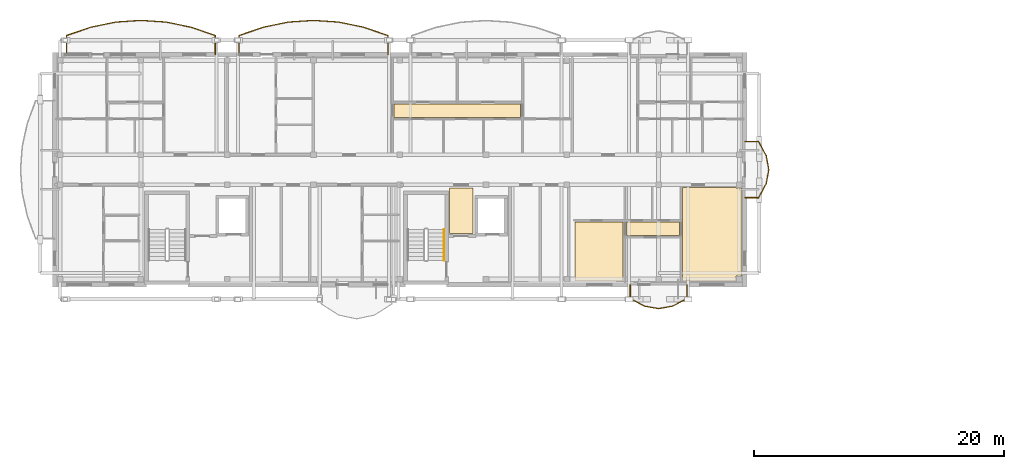
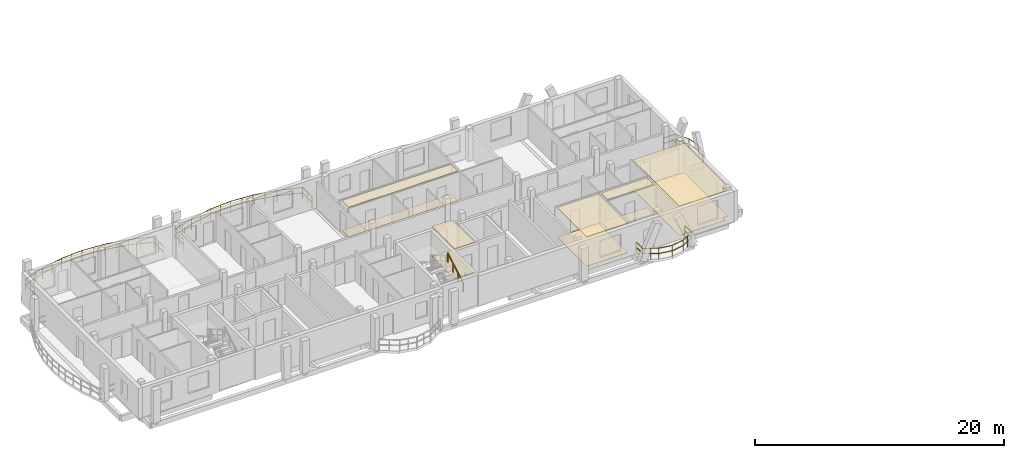
# One storey, part 39 of 44: 10 coverings, 5 railings.
"""IFC4 building model written with IfcOpenShell, lengths in metres."""

from ifc_helpers import new_model, si_unit, direction, frame, origin, origin_2d, place, context, subcontext, project, spatial, polyline, rectangle, outline, extrude, material, layer, layer_set, type_object, element, save


model = new_model("IFC4")

# Units and contexts
model_context = context("Model", 3, precision=1e-05, world=origin(), true_north=direction((0.0, 1.0)))
body_context = subcontext(model_context, "Body", "Model", "MODEL_VIEW")
ifc_project = project(units=[si_unit("LENGTHUNIT", "METRE"), si_unit("AREAUNIT", "SQUARE_METRE"), si_unit("VOLUMEUNIT", "CUBIC_METRE"), si_unit("PLANEANGLEUNIT", "RADIAN"), si_unit("MASSUNIT", "GRAM", prefix="KILO")], contexts=[model_context])

# Site, building, storey
site_placement = place(None, origin())
site = spatial("IfcSite", under=ifc_project, at=site_placement, CompositionType="ELEMENT")
building_placement = place(site_placement, origin())
building = spatial("IfcBuilding", under=site, at=building_placement, Name="Zavelmont Quarter", CompositionType="ELEMENT")
storey_placement = place(building_placement, frame((0.0, 0.0, 20.800048828125)))
storey = spatial("IfcBuildingStorey", under=building, at=storey_placement, Name="L06", CompositionType="ELEMENT", Elevation=20.800048828125)

# Coverings
ifc_material_1 = material(Name="Perforated acoustic gypsum board")
ifc_layer_1 = layer(ifc_material_1, 0.02490234375)
ifc_layer_set_1 = layer_set([ifc_layer_1], Name="Perforated acoustic gypsum board")
covering_type_1 = type_object("IfcCoveringType", Name="CV-CL01", PredefinedType="CEILING", material=ifc_layer_set_1)
covering_1_placement = place(storey_placement, frame((0.0, 0.0, 2.925048828125)))
element("IfcCovering", 1, at=covering_1_placement, inside=storey, type_object=covering_type_1, Name="L06 Lobby Vestibule acoustic ceiling", PredefinedType="CEILING", context=body_context, shape_type="SweptSolid", body=[
    extrude(outline(polyline([(31.580078125, 105.320068359375), (33.469970703125, 105.320068359375), (33.469970703125, 101.679931640625), (31.580078125, 101.679931640625), (31.580078125, 105.320068359375)])), origin(), (0.0, 0.0, 1.0), 0.02490234375),
])
covering_2_placement = place(storey_placement, frame((0.0, 0.0, 2.885009765625)))
element("IfcCovering", 2, at=covering_2_placement, inside=storey, type_object=covering_type_1, Name="L06 Double Bedroom acoustic ceiling", PredefinedType="CEILING", context=body_context, shape_type="SweptSolid", body=[
    extrude(outline(polyline([(41.6298828125, 102.6201171875), (45.469970703125, 102.6201171875), (45.469970703125, 97.8798828125), (41.6298828125, 97.8798828125), (41.6298828125, 102.6201171875)])), origin(), (0.0, 0.0, 1.0), 0.02490234375),
])
covering_3_placement = place(storey_placement, frame((0.0, 0.0, 2.885009765625)))
element("IfcCovering", 3, at=covering_3_placement, inside=storey, type_object=covering_type_1, Name="L06 Living Dining acoustic ceiling", PredefinedType="CEILING", context=body_context, shape_type="SweptSolid", body=[
    extrude(outline(polyline([(50.22998046875, 105.3701171875), (54.4951171875, 105.3701171875), (54.4951171875, 105.3349609375), (54.969970703125, 105.3349609375), (54.969970703125, 98.304931640625), (54.4951171875, 98.304931640625), (54.4951171875, 97.8798828125), (50.22998046875, 97.8798828125), (50.22998046875, 105.3701171875)])), origin(), (0.0, 0.0, 1.0), 0.02490234375),
])
ifc_material_2 = material(Name="Slatted European ash acoustic baffle ceiling")
ifc_layer_2 = layer(ifc_material_2, 0.0400390625)
ifc_layer_set_2 = layer_set([ifc_layer_2], Name="Slatted European ash acoustic baffle ceiling")
covering_type_2 = type_object("IfcCoveringType", Name="CV-CL02", PredefinedType="CEILING", material=ifc_layer_set_2)
covering_4_placement = place(storey_placement, frame((0.0, 0.0, 2.909912109375)))
element("IfcCovering", 4, at=covering_4_placement, inside=storey, type_object=covering_type_2, Name="L06 Apartment Hall acoustic ceiling", PredefinedType="CEILING", context=body_context, shape_type="SweptSolid", body=[
    extrude(outline(polyline([(27.1298828125, 112.070068359375), (37.27001953125, 112.070068359375), (37.27001953125, 110.97998046875), (27.1298828125, 110.97998046875), (27.1298828125, 112.070068359375)])), origin(), (0.0, 0.0, 1.0), 0.0400390625),
])
covering_5_placement = place(storey_placement, frame((0.0, 0.0, 2.869873046875)))
element("IfcCovering", 5, at=covering_5_placement, inside=storey, type_object=covering_type_2, Name="L06 Apartment Hall acoustic ceiling", PredefinedType="CEILING", context=body_context, shape_type="SweptSolid", body=[
    extrude(outline(polyline([(45.72998046875, 102.6201171875), (49.969970703125, 102.6201171875), (49.969970703125, 101.530029296875), (45.72998046875, 101.530029296875), (45.72998046875, 102.6201171875)])), origin(), (0.0, 0.0, 1.0), 0.0400390625),
])
ifc_material_3 = material(Name="Engineered European oak parquet")
ifc_layer_3 = layer(ifc_material_3, 0.02197265625)
ifc_layer_set_3 = layer_set([ifc_layer_3], Name="Engineered European oak parquet")
covering_type_3 = type_object("IfcCoveringType", Name="CV-FL01", PredefinedType="FLOORING", material=ifc_layer_set_3)
covering_6_placement = place(storey_placement, origin())
element("IfcCovering", 6, at=covering_6_placement, inside=storey, type_object=covering_type_3, Name="L06 Lobby Vestibule floor finish", PredefinedType="FLOORING", context=body_context, shape_type="SweptSolid", body=[
    extrude(outline(polyline([(31.580078125, 105.320068359375), (33.469970703125, 105.320068359375), (33.469970703125, 101.679931640625), (31.580078125, 101.679931640625), (31.580078125, 105.320068359375)])), origin(), (0.0, 0.0, 1.0), 0.02197265625),
])
covering_7_placement = place(storey_placement, origin())
element("IfcCovering", 7, at=covering_7_placement, inside=storey, type_object=covering_type_3, Name="L06 Double Bedroom floor finish", PredefinedType="FLOORING", context=body_context, shape_type="SweptSolid", body=[
    extrude(outline(polyline([(41.6298828125, 102.6201171875), (45.469970703125, 102.6201171875), (45.469970703125, 97.8798828125), (41.6298828125, 97.8798828125), (41.6298828125, 102.6201171875)])), origin(), (0.0, 0.0, 1.0), 0.02197265625),
])
covering_8_placement = place(storey_placement, origin())
element("IfcCovering", 8, at=covering_8_placement, inside=storey, type_object=covering_type_3, Name="L06 Living Dining floor finish", PredefinedType="FLOORING", context=body_context, shape_type="SweptSolid", body=[
    extrude(outline(polyline([(50.22998046875, 105.3701171875), (54.4951171875, 105.3701171875), (54.4951171875, 105.3349609375), (54.969970703125, 105.3349609375), (54.969970703125, 98.304931640625), (54.4951171875, 98.304931640625), (54.4951171875, 97.8798828125), (50.22998046875, 97.8798828125), (50.22998046875, 105.3701171875)])), origin(), (0.0, 0.0, 1.0), 0.02197265625),
])
ifc_material_4 = material(Name="Honed Belgian bluestone tile", Category="masonry")
ifc_layer_4 = layer(ifc_material_4, 0.030029296875)
ifc_layer_set_4 = layer_set([ifc_layer_4], Name="Honed Belgian bluestone tile")
covering_type_4 = type_object("IfcCoveringType", Name="CV-FL02", PredefinedType="FLOORING", material=ifc_layer_set_4)
covering_9_placement = place(storey_placement, origin())
element("IfcCovering", 9, at=covering_9_placement, inside=storey, type_object=covering_type_4, Name="L06 Apartment Hall floor finish", PredefinedType="FLOORING", context=body_context, shape_type="SweptSolid", body=[
    extrude(outline(polyline([(27.1298828125, 112.070068359375), (37.27001953125, 112.070068359375), (37.27001953125, 110.97998046875), (27.1298828125, 110.97998046875), (27.1298828125, 112.070068359375)])), origin(), (0.0, 0.0, 1.0), 0.030029296875),
])
covering_10_placement = place(storey_placement, origin())
element("IfcCovering", 10, at=covering_10_placement, inside=storey, type_object=covering_type_4, Name="L06 Apartment Hall floor finish", PredefinedType="FLOORING", context=body_context, shape_type="SweptSolid", body=[
    extrude(outline(polyline([(45.72998046875, 102.6201171875), (49.969970703125, 102.6201171875), (49.969970703125, 101.530029296875), (45.72998046875, 101.530029296875), (45.72998046875, 102.6201171875)])), origin(), (0.0, 0.0, 1.0), 0.030029296875),
])

# Railings
ifc_material_5 = material(Name="Powder-coated steel and tempered double safety glass", Category="steel")
railing_type_1 = type_object("IfcRailingType", Name="RL-BAL1", PredefinedType="BALUSTRADE", material=ifc_material_5)
railing_1_placement = place(storey_placement, frame((12.845703125, 116.02001953125, 0.0)))
element("IfcRailing", 11, at=railing_1_placement, inside=storey, type_object=railing_type_1, Name="L06 Block B curved balcony guard RL-BAL1", PredefinedType="BALUSTRADE", context=body_context, shape_type="SweptSolid", body=[
    extrude(rectangle(XDim=0.048095703125, YDim=0.048095703125, at=origin_2d()), frame((0.0, 0.0, 1.076171875), z_axis=(0.0, 1.0, 0.0), x_axis=(-1.0, 0.0, 0.0)), (0.0, 0.0, 1.0), 1.518798828125),
    extrude(rectangle(XDim=0.048095703125, YDim=0.048095703125, at=origin_2d()), frame((0.0, 0.0, 0.550048828125), z_axis=(0.0, 1.0, 0.0), x_axis=(-1.0, 0.0, 0.0)), (0.0, 0.0, 1.0), 1.518798828125),
    extrude(rectangle(XDim=0.048095703125, YDim=0.048095703125, at=origin_2d()), frame((0.0, 1.518798828125, 1.076171875), z_axis=(-0.94706106975, 0.321053469322, 0.0), x_axis=(-0.321053469322, -0.94706106975, 0.0)), (0.0, 0.0, 1.0), 2.0927734375),
    extrude(rectangle(XDim=0.048095703125, YDim=0.048095703125, at=origin_2d()), frame((0.0, 1.518798828125, 0.550048828125), z_axis=(-0.94706106975, 0.321053469322, 0.0), x_axis=(-0.321053469322, -0.94706106975, 0.0)), (0.0, 0.0, 1.0), 2.0927734375),
    extrude(rectangle(XDim=0.048095703125, YDim=0.048095703125, at=origin_2d()), frame((-1.98193359375, 2.190673828125, 1.076171875), z_axis=(-0.979939459364, 0.199295398794, 0.0), x_axis=(-0.199295398794, -0.979939459364, 0.0)), (0.0, 0.0, 1.0), 2.0224609375),
    extrude(rectangle(XDim=0.048095703125, YDim=0.048095703125, at=origin_2d()), frame((-1.98193359375, 2.190673828125, 0.550048828125), z_axis=(-0.979939459364, 0.199295398794, 0.0), x_axis=(-0.199295398794, -0.979939459364, 0.0)), (0.0, 0.0, 1.0), 2.0224609375),
    extrude(rectangle(XDim=0.048095703125, YDim=0.048095703125, at=origin_2d()), frame((-3.9638671875, 2.59375, 1.076171875), z_axis=(-0.997712793816, 0.067595717738, 0.0), x_axis=(-0.067595717738, -0.997712793816, 0.0)), (0.0, 0.0, 1.0), 1.986572265625),
    extrude(rectangle(XDim=0.048095703125, YDim=0.048095703125, at=origin_2d()), frame((-3.9638671875, 2.59375, 0.550048828125), z_axis=(-0.997712793816, 0.067595717738, 0.0), x_axis=(-0.067595717738, -0.997712793816, 0.0)), (0.0, 0.0, 1.0), 1.986572265625),
    extrude(rectangle(XDim=0.048095703125, YDim=0.048095703125, at=origin_2d()), frame((-5.94580078125, 2.72802734375, 1.076171875), z_axis=(-0.997712232154, -0.067604007353, 0.0), x_axis=(0.067604007353, -0.997712232154, 0.0)), (0.0, 0.0, 1.0), 1.986328125),
    extrude(rectangle(XDim=0.048095703125, YDim=0.048095703125, at=origin_2d()), frame((-5.94580078125, 2.72802734375, 0.550048828125), z_axis=(-0.997712232154, -0.067604007353, 0.0), x_axis=(0.067604007353, -0.997712232154, 0.0)), (0.0, 0.0, 1.0), 1.986328125),
    extrude(rectangle(XDim=0.048095703125, YDim=0.048095703125, at=origin_2d()), frame((-7.927490234375, 2.59375, 1.076171875), z_axis=(-0.979939459364, -0.199295398794, 0.0), x_axis=(0.199295398794, -0.979939459364, 0.0)), (0.0, 0.0, 1.0), 2.0224609375),
    extrude(rectangle(XDim=0.048095703125, YDim=0.048095703125, at=origin_2d()), frame((-7.927490234375, 2.59375, 0.550048828125), z_axis=(-0.979939459364, -0.199295398794, 0.0), x_axis=(0.199295398794, -0.979939459364, 0.0)), (0.0, 0.0, 1.0), 2.0224609375),
    extrude(rectangle(XDim=0.048095703125, YDim=0.048095703125, at=origin_2d()), frame((-9.909423828125, 2.190673828125, 1.076171875), z_axis=(-0.94706106975, -0.321053469322, 0.0), x_axis=(0.321053469322, -0.94706106975, 0.0)), (0.0, 0.0, 1.0), 2.0927734375),
    extrude(rectangle(XDim=0.048095703125, YDim=0.048095703125, at=origin_2d()), frame((-9.909423828125, 2.190673828125, 0.550048828125), z_axis=(-0.94706106975, -0.321053469322, 0.0), x_axis=(0.321053469322, -0.94706106975, 0.0)), (0.0, 0.0, 1.0), 2.0927734375),
    extrude(rectangle(XDim=0.048095703125, YDim=0.048095703125, at=origin_2d()), frame((-11.891357421875, 1.518798828125, 1.076171875), z_axis=(0.0, -1.0, 0.0), x_axis=(1.0, 0.0, 0.0)), (0.0, 0.0, 1.0), 1.518798828125),
    extrude(rectangle(XDim=0.048095703125, YDim=0.048095703125, at=origin_2d()), frame((-11.891357421875, 1.518798828125, 0.550048828125), z_axis=(0.0, -1.0, 0.0), x_axis=(1.0, 0.0, 0.0)), (0.0, 0.0, 1.0), 1.518798828125),
    extrude(rectangle(XDim=0.0419921875, YDim=0.0419921875, at=origin_2d()), origin(), (0.0, 0.0, 1.0), 1.052001953125),
    extrude(rectangle(XDim=0.0419921875, YDim=0.0419921875, at=origin_2d()), frame((0.0, 0.75927734375, 0.0)), (0.0, 0.0, 1.0), 1.052001953125),
    extrude(rectangle(XDim=0.0419921875, YDim=0.0419921875, at=origin_2d()), frame((0.0, 1.518798828125, 0.0)), (0.0, 0.0, 1.0), 1.052001953125),
    extrude(rectangle(XDim=0.0419921875, YDim=0.0419921875, at=origin_2d()), frame((-0.990966796875, 1.854736328125, 0.0)), (0.0, 0.0, 1.0), 1.052001953125),
    extrude(rectangle(XDim=0.0419921875, YDim=0.0419921875, at=origin_2d()), frame((-1.98193359375, 2.190673828125, 0.0)), (0.0, 0.0, 1.0), 1.052001953125),
    extrude(rectangle(XDim=0.0419921875, YDim=0.0419921875, at=origin_2d()), frame((-2.972900390625, 2.39208984375, 0.0)), (0.0, 0.0, 1.0), 1.052001953125),
    extrude(rectangle(XDim=0.0419921875, YDim=0.0419921875, at=origin_2d()), frame((-3.9638671875, 2.59375, 0.0)), (0.0, 0.0, 1.0), 1.052001953125),
    extrude(rectangle(XDim=0.0419921875, YDim=0.0419921875, at=origin_2d()), frame((-4.954833984375, 2.660888671875, 0.0)), (0.0, 0.0, 1.0), 1.052001953125),
    extrude(rectangle(XDim=0.0419921875, YDim=0.0419921875, at=origin_2d()), frame((-5.94580078125, 2.72802734375, 0.0)), (0.0, 0.0, 1.0), 1.052001953125),
    extrude(rectangle(XDim=0.0419921875, YDim=0.0419921875, at=origin_2d()), frame((-6.9365234375, 2.660888671875, 0.0)), (0.0, 0.0, 1.0), 1.052001953125),
    extrude(rectangle(XDim=0.0419921875, YDim=0.0419921875, at=origin_2d()), frame((-7.927490234375, 2.59375, 0.0)), (0.0, 0.0, 1.0), 1.052001953125),
    extrude(rectangle(XDim=0.0419921875, YDim=0.0419921875, at=origin_2d()), frame((-8.91845703125, 2.39208984375, 0.0)), (0.0, 0.0, 1.0), 1.052001953125),
    extrude(rectangle(XDim=0.0419921875, YDim=0.0419921875, at=origin_2d()), frame((-9.909423828125, 2.190673828125, 0.0)), (0.0, 0.0, 1.0), 1.052001953125),
    extrude(rectangle(XDim=0.0419921875, YDim=0.0419921875, at=origin_2d()), frame((-10.900390625, 1.854736328125, 0.0)), (0.0, 0.0, 1.0), 1.052001953125),
    extrude(rectangle(XDim=0.0419921875, YDim=0.0419921875, at=origin_2d()), frame((-11.891357421875, 1.518798828125, 0.0)), (0.0, 0.0, 1.0), 1.052001953125),
    extrude(rectangle(XDim=0.0419921875, YDim=0.0419921875, at=origin_2d()), frame((-11.891357421875, 0.75927734375, 0.0)), (0.0, 0.0, 1.0), 1.052001953125),
    extrude(rectangle(XDim=0.0419921875, YDim=0.0419921875, at=origin_2d()), frame((-11.891357421875, 0.0, 0.0)), (0.0, 0.0, 1.0), 1.052001953125),
])
railing_2_placement = place(storey_placement, frame((26.6455078125, 116.02001953125, 0.0)))
element("IfcRailing", 12, at=railing_2_placement, inside=storey, type_object=railing_type_1, Name="L06 Block B curved balcony guard RL-BAL1", PredefinedType="BALUSTRADE", context=body_context, shape_type="SweptSolid", body=[
    extrude(rectangle(XDim=0.048095703125, YDim=0.048095703125, at=origin_2d()), frame((0.0, 0.0, 1.076171875), z_axis=(0.0, 1.0, 0.0), x_axis=(-1.0, 0.0, 0.0)), (0.0, 0.0, 1.0), 1.518798828125),
    extrude(rectangle(XDim=0.048095703125, YDim=0.048095703125, at=origin_2d()), frame((0.0, 0.0, 0.550048828125), z_axis=(0.0, 1.0, 0.0), x_axis=(-1.0, 0.0, 0.0)), (0.0, 0.0, 1.0), 1.518798828125),
    extrude(rectangle(XDim=0.048095703125, YDim=0.048095703125, at=origin_2d()), frame((0.0, 1.518798828125, 1.076171875), z_axis=(-0.947049042796, 0.321088944903, 0.0), x_axis=(-0.321088944903, -0.947049042796, 0.0)), (0.0, 0.0, 1.0), 2.092529296875),
    extrude(rectangle(XDim=0.048095703125, YDim=0.048095703125, at=origin_2d()), frame((0.0, 1.518798828125, 0.550048828125), z_axis=(-0.947049042796, 0.321088944903, 0.0), x_axis=(-0.321088944903, -0.947049042796, 0.0)), (0.0, 0.0, 1.0), 2.092529296875),
    extrude(rectangle(XDim=0.048095703125, YDim=0.048095703125, at=origin_2d()), frame((-1.981689453125, 2.190673828125, 1.076171875), z_axis=(-0.979939459364, 0.199295398794, 0.0), x_axis=(-0.199295398794, -0.979939459364, 0.0)), (0.0, 0.0, 1.0), 2.0224609375),
    extrude(rectangle(XDim=0.048095703125, YDim=0.048095703125, at=origin_2d()), frame((-1.981689453125, 2.190673828125, 0.550048828125), z_axis=(-0.979939459364, 0.199295398794, 0.0), x_axis=(-0.199295398794, -0.979939459364, 0.0)), (0.0, 0.0, 1.0), 2.0224609375),
    extrude(rectangle(XDim=0.048095703125, YDim=0.048095703125, at=origin_2d()), frame((-3.963623046875, 2.59375, 1.076171875), z_axis=(-0.997712793816, 0.067595717738, 0.0), x_axis=(-0.067595717738, -0.997712793816, 0.0)), (0.0, 0.0, 1.0), 1.986572265625),
    extrude(rectangle(XDim=0.048095703125, YDim=0.048095703125, at=origin_2d()), frame((-3.963623046875, 2.59375, 0.550048828125), z_axis=(-0.997712793816, 0.067595717738, 0.0), x_axis=(-0.067595717738, -0.997712793816, 0.0)), (0.0, 0.0, 1.0), 1.986572265625),
    extrude(rectangle(XDim=0.048095703125, YDim=0.048095703125, at=origin_2d()), frame((-5.945556640625, 2.72802734375, 1.076171875), z_axis=(-0.997712793816, -0.067595717738, 0.0), x_axis=(0.067595717738, -0.997712793816, 0.0)), (0.0, 0.0, 1.0), 1.986572265625),
    extrude(rectangle(XDim=0.048095703125, YDim=0.048095703125, at=origin_2d()), frame((-5.945556640625, 2.72802734375, 0.550048828125), z_axis=(-0.997712793816, -0.067595717738, 0.0), x_axis=(0.067595717738, -0.997712793816, 0.0)), (0.0, 0.0, 1.0), 1.986572265625),
    extrude(rectangle(XDim=0.048095703125, YDim=0.048095703125, at=origin_2d()), frame((-7.927490234375, 2.59375, 1.076171875), z_axis=(-0.979934663998, -0.199318976255, 0.0), x_axis=(0.199318976255, -0.979934663998, 0.0)), (0.0, 0.0, 1.0), 2.022216796875),
    extrude(rectangle(XDim=0.048095703125, YDim=0.048095703125, at=origin_2d()), frame((-7.927490234375, 2.59375, 0.550048828125), z_axis=(-0.979934663998, -0.199318976255, 0.0), x_axis=(0.199318976255, -0.979934663998, 0.0)), (0.0, 0.0, 1.0), 2.022216796875),
    extrude(rectangle(XDim=0.048095703125, YDim=0.048095703125, at=origin_2d()), frame((-9.9091796875, 2.190673828125, 1.076171875), z_axis=(-0.94706106975, -0.321053469322, 0.0), x_axis=(0.321053469322, -0.94706106975, 0.0)), (0.0, 0.0, 1.0), 2.0927734375),
    extrude(rectangle(XDim=0.048095703125, YDim=0.048095703125, at=origin_2d()), frame((-9.9091796875, 2.190673828125, 0.550048828125), z_axis=(-0.94706106975, -0.321053469322, 0.0), x_axis=(0.321053469322, -0.94706106975, 0.0)), (0.0, 0.0, 1.0), 2.0927734375),
    extrude(rectangle(XDim=0.048095703125, YDim=0.048095703125, at=origin_2d()), frame((-11.89111328125, 1.518798828125, 1.076171875), z_axis=(0.0, -1.0, 0.0), x_axis=(1.0, 0.0, 0.0)), (0.0, 0.0, 1.0), 1.518798828125),
    extrude(rectangle(XDim=0.048095703125, YDim=0.048095703125, at=origin_2d()), frame((-11.89111328125, 1.518798828125, 0.550048828125), z_axis=(0.0, -1.0, 0.0), x_axis=(1.0, 0.0, 0.0)), (0.0, 0.0, 1.0), 1.518798828125),
    extrude(rectangle(XDim=0.0419921875, YDim=0.0419921875, at=origin_2d()), origin(), (0.0, 0.0, 1.0), 1.052001953125),
    extrude(rectangle(XDim=0.0419921875, YDim=0.0419921875, at=origin_2d()), frame((0.0, 0.75927734375, 0.0)), (0.0, 0.0, 1.0), 1.052001953125),
    extrude(rectangle(XDim=0.0419921875, YDim=0.0419921875, at=origin_2d()), frame((0.0, 1.518798828125, 0.0)), (0.0, 0.0, 1.0), 1.052001953125),
    extrude(rectangle(XDim=0.0419921875, YDim=0.0419921875, at=origin_2d()), frame((-0.99072265625, 1.854736328125, 0.0)), (0.0, 0.0, 1.0), 1.052001953125),
    extrude(rectangle(XDim=0.0419921875, YDim=0.0419921875, at=origin_2d()), frame((-1.981689453125, 2.190673828125, 0.0)), (0.0, 0.0, 1.0), 1.052001953125),
    extrude(rectangle(XDim=0.0419921875, YDim=0.0419921875, at=origin_2d()), frame((-2.97265625, 2.39208984375, 0.0)), (0.0, 0.0, 1.0), 1.052001953125),
    extrude(rectangle(XDim=0.0419921875, YDim=0.0419921875, at=origin_2d()), frame((-3.963623046875, 2.59375, 0.0)), (0.0, 0.0, 1.0), 1.052001953125),
    extrude(rectangle(XDim=0.0419921875, YDim=0.0419921875, at=origin_2d()), frame((-4.95458984375, 2.660888671875, 0.0)), (0.0, 0.0, 1.0), 1.052001953125),
    extrude(rectangle(XDim=0.0419921875, YDim=0.0419921875, at=origin_2d()), frame((-5.945556640625, 2.72802734375, 0.0)), (0.0, 0.0, 1.0), 1.052001953125),
    extrude(rectangle(XDim=0.0419921875, YDim=0.0419921875, at=origin_2d()), frame((-6.9365234375, 2.660888671875, 0.0)), (0.0, 0.0, 1.0), 1.052001953125),
    extrude(rectangle(XDim=0.0419921875, YDim=0.0419921875, at=origin_2d()), frame((-7.927490234375, 2.59375, 0.0)), (0.0, 0.0, 1.0), 1.052001953125),
    extrude(rectangle(XDim=0.0419921875, YDim=0.0419921875, at=origin_2d()), frame((-8.91845703125, 2.39208984375, 0.0)), (0.0, 0.0, 1.0), 1.052001953125),
    extrude(rectangle(XDim=0.0419921875, YDim=0.0419921875, at=origin_2d()), frame((-9.9091796875, 2.190673828125, 0.0)), (0.0, 0.0, 1.0), 1.052001953125),
    extrude(rectangle(XDim=0.0419921875, YDim=0.0419921875, at=origin_2d()), frame((-10.900146484375, 1.854736328125, 0.0)), (0.0, 0.0, 1.0), 1.052001953125),
    extrude(rectangle(XDim=0.0419921875, YDim=0.0419921875, at=origin_2d()), frame((-11.89111328125, 1.518798828125, 0.0)), (0.0, 0.0, 1.0), 1.052001953125),
    extrude(rectangle(XDim=0.0419921875, YDim=0.0419921875, at=origin_2d()), frame((-11.89111328125, 0.75927734375, 0.0)), (0.0, 0.0, 1.0), 1.052001953125),
    extrude(rectangle(XDim=0.0419921875, YDim=0.0419921875, at=origin_2d()), frame((-11.89111328125, 0.0, 0.0)), (0.0, 0.0, 1.0), 1.052001953125),
])
railing_3_placement = place(storey_placement, frame((55.219970703125, 104.558837890625, 0.0)))
element("IfcRailing", 13, at=railing_3_placement, inside=storey, type_object=railing_type_1, Name="L06 Block B curved balcony guard RL-BAL1", PredefinedType="BALUSTRADE", context=body_context, shape_type="SweptSolid", body=[
    extrude(rectangle(XDim=0.048095703125, YDim=0.048095703125, at=origin_2d()), frame((0.0, 0.0, 1.076171875), z_axis=(1.0, 0.0, 0.0), x_axis=(0.0, 1.0, 0.0)), (0.0, 0.0, 1.0), 1.080078125),
    extrude(rectangle(XDim=0.048095703125, YDim=0.048095703125, at=origin_2d()), frame((0.0, 0.0, 0.550048828125), z_axis=(1.0, 0.0, 0.0), x_axis=(0.0, 1.0, 0.0)), (0.0, 0.0, 1.0), 1.080078125),
    extrude(rectangle(XDim=0.048095703125, YDim=0.048095703125, at=origin_2d()), frame((1.080078125, 0.0, 1.076171875), z_axis=(0.480671513179, 0.876900733503, 0.0), x_axis=(-0.876900733503, 0.480671513179, 0.0)), (0.0, 0.0, 1.0), 1.27783203125),
    extrude(rectangle(XDim=0.048095703125, YDim=0.048095703125, at=origin_2d()), frame((1.080078125, 0.0, 0.550048828125), z_axis=(0.480671513179, 0.876900733503, 0.0), x_axis=(-0.876900733503, 0.480671513179, 0.0)), (0.0, 0.0, 1.0), 1.27783203125),
    extrude(rectangle(XDim=0.048095703125, YDim=0.048095703125, at=origin_2d()), frame((1.6943359375, 1.12060546875, 1.076171875), z_axis=(0.179602084499, 0.983739341108, 0.0), x_axis=(-0.983739341108, 0.179602084499, 0.0)), (0.0, 0.0, 1.0), 1.13916015625),
    extrude(rectangle(XDim=0.048095703125, YDim=0.048095703125, at=origin_2d()), frame((1.6943359375, 1.12060546875, 0.550048828125), z_axis=(0.179602084499, 0.983739341108, 0.0), x_axis=(-0.983739341108, 0.179602084499, 0.0)), (0.0, 0.0, 1.0), 1.13916015625),
    extrude(rectangle(XDim=0.048095703125, YDim=0.048095703125, at=origin_2d()), frame((1.89892578125, 2.2412109375, 1.076171875), z_axis=(-0.179639959165, 0.983732425546, 0.0), x_axis=(-0.983732425546, -0.179639959165, 0.0)), (0.0, 0.0, 1.0), 1.138916015625),
    extrude(rectangle(XDim=0.048095703125, YDim=0.048095703125, at=origin_2d()), frame((1.89892578125, 2.2412109375, 0.550048828125), z_axis=(-0.179639959165, 0.983732425546, 0.0), x_axis=(-0.983732425546, -0.179639959165, 0.0)), (0.0, 0.0, 1.0), 1.138916015625),
    extrude(rectangle(XDim=0.048095703125, YDim=0.048095703125, at=origin_2d()), frame((1.6943359375, 3.361572265625, 1.076171875), z_axis=(-0.480671513179, 0.876900733503, 0.0), x_axis=(-0.876900733503, -0.480671513179, 0.0)), (0.0, 0.0, 1.0), 1.27783203125),
    extrude(rectangle(XDim=0.048095703125, YDim=0.048095703125, at=origin_2d()), frame((1.6943359375, 3.361572265625, 0.550048828125), z_axis=(-0.480671513179, 0.876900733503, 0.0), x_axis=(-0.876900733503, -0.480671513179, 0.0)), (0.0, 0.0, 1.0), 1.27783203125),
    extrude(rectangle(XDim=0.048095703125, YDim=0.048095703125, at=origin_2d()), frame((1.080078125, 4.482177734375, 1.076171875), z_axis=(-1.0, 0.0, 0.0), x_axis=(0.0, -1.0, 0.0)), (0.0, 0.0, 1.0), 1.080078125),
    extrude(rectangle(XDim=0.048095703125, YDim=0.048095703125, at=origin_2d()), frame((1.080078125, 4.482177734375, 0.550048828125), z_axis=(-1.0, 0.0, 0.0), x_axis=(0.0, -1.0, 0.0)), (0.0, 0.0, 1.0), 1.080078125),
    extrude(rectangle(XDim=0.0419921875, YDim=0.0419921875, at=origin_2d()), origin(), (0.0, 0.0, 1.0), 1.052001953125),
    extrude(rectangle(XDim=0.0419921875, YDim=0.0419921875, at=origin_2d()), frame((1.080078125, 0.0, 0.0)), (0.0, 0.0, 1.0), 1.052001953125),
    extrude(rectangle(XDim=0.0419921875, YDim=0.0419921875, at=origin_2d()), frame((1.38720703125, 0.560302734375, 0.0)), (0.0, 0.0, 1.0), 1.052001953125),
    extrude(rectangle(XDim=0.0419921875, YDim=0.0419921875, at=origin_2d()), frame((1.6943359375, 1.12060546875, 0.0)), (0.0, 0.0, 1.0), 1.052001953125),
    extrude(rectangle(XDim=0.0419921875, YDim=0.0419921875, at=origin_2d()), frame((1.89892578125, 2.2412109375, 0.0)), (0.0, 0.0, 1.0), 1.052001953125),
    extrude(rectangle(XDim=0.0419921875, YDim=0.0419921875, at=origin_2d()), frame((1.6943359375, 3.361572265625, 0.0)), (0.0, 0.0, 1.0), 1.052001953125),
    extrude(rectangle(XDim=0.0419921875, YDim=0.0419921875, at=origin_2d()), frame((1.38720703125, 3.921875, 0.0)), (0.0, 0.0, 1.0), 1.052001953125),
    extrude(rectangle(XDim=0.0419921875, YDim=0.0419921875, at=origin_2d()), frame((1.080078125, 4.482177734375, 0.0)), (0.0, 0.0, 1.0), 1.052001953125),
    extrude(rectangle(XDim=0.0419921875, YDim=0.0419921875, at=origin_2d()), frame((0.0, 4.482177734375, 0.0)), (0.0, 0.0, 1.0), 1.052001953125),
])
railing_4_placement = place(storey_placement, frame((46.034423828125, 97.580078125, 0.0)))
element("IfcRailing", 14, at=railing_4_placement, inside=storey, type_object=railing_type_1, Name="L06 Block B curved balcony guard RL-BAL1", PredefinedType="BALUSTRADE", context=body_context, shape_type="SweptSolid", body=[
    extrude(rectangle(XDim=0.048095703125, YDim=0.048095703125, at=origin_2d()), frame((0.0, 0.0, 1.076171875), z_axis=(0.0, -1.0, 0.0), x_axis=(1.0, 0.0, 0.0)), (0.0, 0.0, 1.0), 1.080078125),
    extrude(rectangle(XDim=0.048095703125, YDim=0.048095703125, at=origin_2d()), frame((0.0, 0.0, 0.550048828125), z_axis=(0.0, -1.0, 0.0), x_axis=(1.0, 0.0, 0.0)), (0.0, 0.0, 1.0), 1.080078125),
    extrude(rectangle(XDim=0.048095703125, YDim=0.048095703125, at=origin_2d()), frame((0.0, -1.080078125, 1.076171875), z_axis=(0.87908029831, -0.47667371348, 0.0), x_axis=(0.47667371348, 0.87908029831, 0.0)), (0.0, 0.0, 1.0), 1.28857421875),
    extrude(rectangle(XDim=0.048095703125, YDim=0.048095703125, at=origin_2d()), frame((0.0, -1.080078125, 0.550048828125), z_axis=(0.87908029831, -0.47667371348, 0.0), x_axis=(0.47667371348, 0.87908029831, 0.0)), (0.0, 0.0, 1.0), 1.28857421875),
    extrude(rectangle(XDim=0.048095703125, YDim=0.048095703125, at=origin_2d()), frame((1.1328125, -1.6943359375, 1.076171875), z_axis=(0.984042505457, -0.177933547862, 0.0), x_axis=(0.177933547862, 0.984042505457, 0.0)), (0.0, 0.0, 1.0), 1.151123046875),
    extrude(rectangle(XDim=0.048095703125, YDim=0.048095703125, at=origin_2d()), frame((1.1328125, -1.6943359375, 0.550048828125), z_axis=(0.984042505457, -0.177933547862, 0.0), x_axis=(0.177933547862, 0.984042505457, 0.0)), (0.0, 0.0, 1.0), 1.151123046875),
    extrude(rectangle(XDim=0.048095703125, YDim=0.048095703125, at=origin_2d()), frame((2.265625, -1.899169921875, 1.076171875), z_axis=(0.984035788887, 0.17797068913, 0.0), x_axis=(-0.17797068913, 0.984035788887, 0.0)), (0.0, 0.0, 1.0), 1.15087890625),
    extrude(rectangle(XDim=0.048095703125, YDim=0.048095703125, at=origin_2d()), frame((2.265625, -1.899169921875, 0.550048828125), z_axis=(0.984035788887, 0.17797068913, 0.0), x_axis=(-0.17797068913, 0.984035788887, 0.0)), (0.0, 0.0, 1.0), 1.15087890625),
    extrude(rectangle(XDim=0.048095703125, YDim=0.048095703125, at=origin_2d()), frame((3.398193359375, -1.6943359375, 1.076171875), z_axis=(0.87908029831, 0.47667371348, 0.0), x_axis=(-0.47667371348, 0.87908029831, 0.0)), (0.0, 0.0, 1.0), 1.28857421875),
    extrude(rectangle(XDim=0.048095703125, YDim=0.048095703125, at=origin_2d()), frame((3.398193359375, -1.6943359375, 0.550048828125), z_axis=(0.87908029831, 0.47667371348, 0.0), x_axis=(-0.47667371348, 0.87908029831, 0.0)), (0.0, 0.0, 1.0), 1.28857421875),
    extrude(rectangle(XDim=0.048095703125, YDim=0.048095703125, at=origin_2d()), frame((4.531005859375, -1.080078125, 1.076171875), z_axis=(0.0, 1.0, 0.0), x_axis=(-1.0, 0.0, 0.0)), (0.0, 0.0, 1.0), 1.080078125),
    extrude(rectangle(XDim=0.048095703125, YDim=0.048095703125, at=origin_2d()), frame((4.531005859375, -1.080078125, 0.550048828125), z_axis=(0.0, 1.0, 0.0), x_axis=(-1.0, 0.0, 0.0)), (0.0, 0.0, 1.0), 1.080078125),
    extrude(rectangle(XDim=0.0419921875, YDim=0.0419921875, at=origin_2d()), origin(), (0.0, 0.0, 1.0), 1.052001953125),
    extrude(rectangle(XDim=0.0419921875, YDim=0.0419921875, at=origin_2d()), frame((0.0, -1.080078125, 0.0)), (0.0, 0.0, 1.0), 1.052001953125),
    extrude(rectangle(XDim=0.0419921875, YDim=0.0419921875, at=origin_2d()), frame((0.56640625, -1.38720703125, 0.0)), (0.0, 0.0, 1.0), 1.052001953125),
    extrude(rectangle(XDim=0.0419921875, YDim=0.0419921875, at=origin_2d()), frame((1.1328125, -1.6943359375, 0.0)), (0.0, 0.0, 1.0), 1.052001953125),
    extrude(rectangle(XDim=0.0419921875, YDim=0.0419921875, at=origin_2d()), frame((2.265625, -1.899169921875, 0.0)), (0.0, 0.0, 1.0), 1.052001953125),
    extrude(rectangle(XDim=0.0419921875, YDim=0.0419921875, at=origin_2d()), frame((3.398193359375, -1.6943359375, 0.0)), (0.0, 0.0, 1.0), 1.052001953125),
    extrude(rectangle(XDim=0.0419921875, YDim=0.0419921875, at=origin_2d()), frame((3.964599609375, -1.38720703125, 0.0)), (0.0, 0.0, 1.0), 1.052001953125),
    extrude(rectangle(XDim=0.0419921875, YDim=0.0419921875, at=origin_2d()), frame((4.531005859375, -1.080078125, 0.0)), (0.0, 0.0, 1.0), 1.052001953125),
    extrude(rectangle(XDim=0.0419921875, YDim=0.0419921875, at=origin_2d()), frame((4.531005859375, 0.0, 0.0)), (0.0, 0.0, 1.0), 1.052001953125),
])
ifc_material_6 = material(Name="Brushed stainless-steel wall handrail", Category="steel")
railing_type_2 = type_object("IfcRailingType", Name="RL-HND1", PredefinedType="HANDRAIL", material=ifc_material_6)
railing_5_placement = place(storey_placement, frame((31.14990234375, 99.550048828125, 0.177734375)))
element("IfcRailing", 15, at=railing_5_placement, inside=storey, type_object=railing_type_2, Name="L06 ST04 stair handrail 1", PredefinedType="HANDRAIL", context=body_context, shape_type="SweptSolid", body=[
    extrude(rectangle(XDim=0.048095703125, YDim=0.048095703125, at=origin_2d()), frame((0.0, 0.0, 0.8759765625), z_axis=(0.0, 0.867490628297, 0.497453525283), x_axis=(-1.0, 0.0, 0.0)), (0.0, 0.0, 1.0), 2.85888671875),
    extrude(rectangle(XDim=0.0419921875, YDim=0.0419921875, at=origin_2d()), origin(), (0.0, 0.0, 1.0), 0.851806640625),
    extrude(rectangle(XDim=0.0419921875, YDim=0.0419921875, at=origin_2d()), frame((0.0, 0.82666015625, 0.47412109375)), (0.0, 0.0, 1.0), 0.851806640625),
    extrude(rectangle(XDim=0.0419921875, YDim=0.0419921875, at=origin_2d()), frame((0.0, 1.6533203125, 0.947998046875)), (0.0, 0.0, 1.0), 0.851806640625),
    extrude(rectangle(XDim=0.0419921875, YDim=0.0419921875, at=origin_2d()), frame((0.0, 2.47998046875, 1.422119140625)), (0.0, 0.0, 1.0), 0.851806640625),
])

save(model, "model.ifc")
